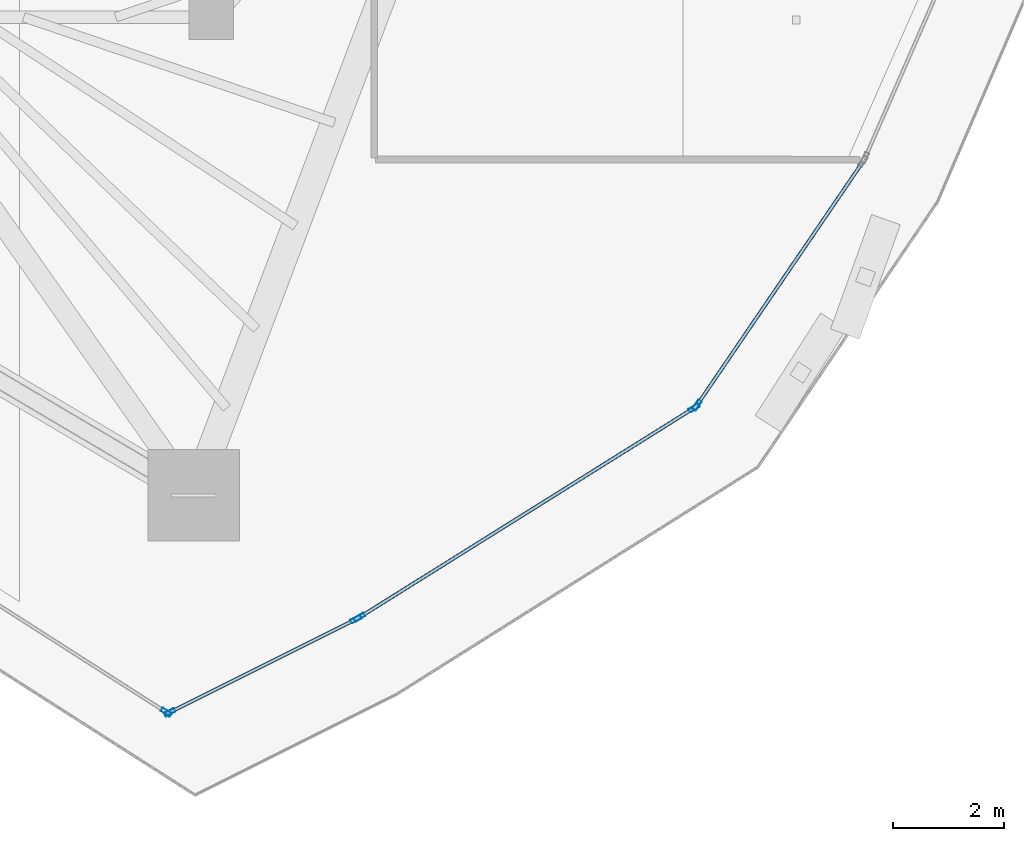
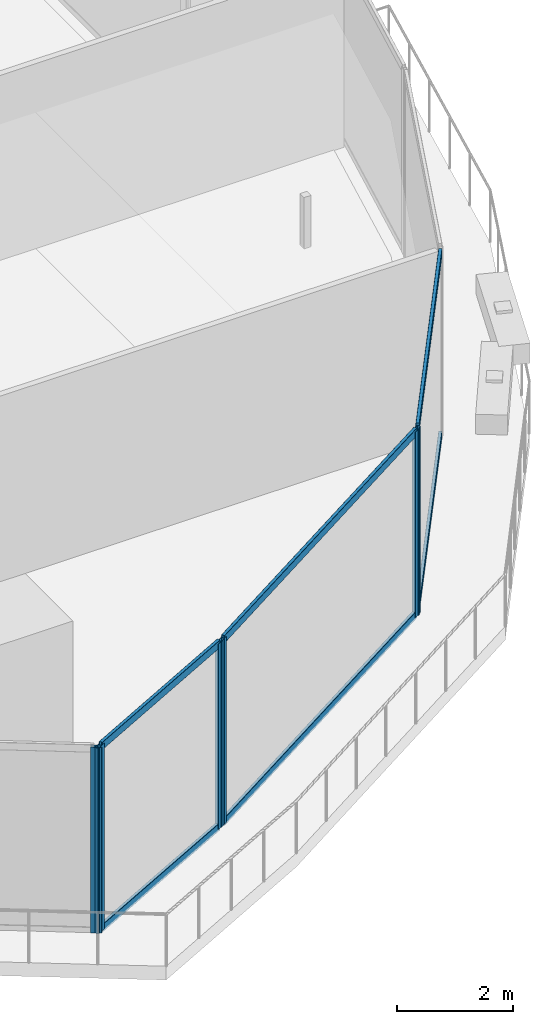
# One storey, part 10 of 34: 12 members, 4 elements without a shape of their own.
"""IFC4 building model written with IfcOpenShell, lengths in metres."""

from ifc_helpers import new_model, si_unit, direction, frame, origin, origin_2d, place, context, subcontext, project, spatial, hollow_rectangle, extrude, material, layer, layer_set, material_profile, profile_set, type_object, element, aggregate, save


model = new_model("IFC4")

# Units and contexts
model_context = context("Model", 3, precision=1e-05, world=origin(), true_north=direction((0.0, 1.0)))
body_context = subcontext(model_context, "Body", "Model", "MODEL_VIEW")
ifc_project = project(units=[si_unit("LENGTHUNIT", "METRE"), si_unit("AREAUNIT", "SQUARE_METRE"), si_unit("VOLUMEUNIT", "CUBIC_METRE"), si_unit("PLANEANGLEUNIT", "RADIAN"), si_unit("MASSUNIT", "GRAM", prefix="KILO")], contexts=[model_context])

# Site, building, storey
site_placement = place(None, origin())
site = spatial("IfcSite", under=ifc_project, at=site_placement, CompositionType="ELEMENT")
building_placement = place(site_placement, origin())
building = spatial("IfcBuilding", under=site, at=building_placement, Name="Qorvath Tower", CompositionType="ELEMENT")
storey_placement = place(building_placement, frame((0.0, 0.0, 276.60009765625)))
storey = spatial("IfcBuildingStorey", under=building, at=storey_placement, Name="L64", CompositionType="ELEMENT", Elevation=276.60009765625)

# Curtain wall, member
ifc_material_1 = material(Name="Anodised aluminium and triple low-E glass", Category="aluminium")
ifc_layer = layer(ifc_material_1, 0.179931640625)
ifc_layer_set = layer_set([ifc_layer], Name="CW-SYS-4")
curtain_wall_type = type_object("IfcCurtainWallType", Name="CW-SYS-4", PredefinedType="NOTDEFINED", material=ifc_layer_set)
curtain_wall_1_placement = place(storey_placement, origin())
curtain_wall_1 = element("IfcCurtainWall", 1, at=curtain_wall_1_placement, inside=storey, type_object=curtain_wall_type, Name="Curtain Wall CW-4 CW-T-L64-2.1", PredefinedType="NOTDEFINED")
ifc_material_2 = material(Name="Anodised aluminium 6063-T6", Category="aluminium")
ifc_material_profile_1 = material_profile(ifc_material_2, hollow_rectangle(XDim=0.074951171875, YDim=0.199951171875, WallThickness=0.00390625, InnerFilletRadius=0.00390625, OuterFilletRadius=0.008056640625, at=origin_2d()), Name="CWM 200x75")
ifc_profile_set_1 = profile_set([ifc_material_profile_1], Name="Anodised aluminium 6063-T6")
member_type_1 = type_object("IfcMemberType", Name="CWM-200", PredefinedType="MULLION", material=ifc_profile_set_1)
member_1_placement = place(storey_placement, frame((-18.015625, -24.027099609375, 0.0), z_axis=(0.0, 0.0, 1.0), x_axis=(0.538533509281, 0.842604094093, 0.0)))
member_1 = element("IfcMember", 2, at=member_1_placement, type_object=member_type_1, Name="CW-4 mullion 8", PredefinedType="MULLION", context=body_context, shape_type="SweptSolid", body=[
    extrude(hollow_rectangle(XDim=0.074951171875, YDim=0.199951171875, WallThickness=0.00390625, InnerFilletRadius=0.00390625, OuterFilletRadius=0.008056640625, at=origin_2d()), origin(), (0.0, 0.0, 1.0), 3.909912109375),
])
aggregate(curtain_wall_1, [member_1])

# Curtain wall, members
curtain_wall_2_placement = place(storey_placement, origin())
curtain_wall_2 = element("IfcCurtainWall", 3, at=curtain_wall_2_placement, inside=storey, type_object=curtain_wall_type, Name="Curtain Wall CW-4 CW-T-L64-3.1", PredefinedType="NOTDEFINED")
member_2_placement = place(storey_placement, frame((-17.950439453125, -24.030517578125, 0.0), z_axis=(0.0, 0.0, 1.0), x_axis=(-0.447244838324, 0.894411568906, 0.0)))
member_2 = element("IfcMember", 4, at=member_2_placement, type_object=member_type_1, Name="CW-4 mullion 1", PredefinedType="MULLION", context=body_context, shape_type="SweptSolid", body=[
    extrude(hollow_rectangle(XDim=0.074951171875, YDim=0.199951171875, WallThickness=0.00390625, InnerFilletRadius=0.00390625, OuterFilletRadius=0.008056640625, at=origin_2d()), origin(), (0.0, 0.0, 1.0), 3.909912109375),
])
member_3_placement = place(storey_placement, frame((-14.582275390625, -22.346435546875, 0.0), z_axis=(0.0, 0.0, 1.0), x_axis=(-0.447244838324, 0.894411568906, 0.0)))
member_3 = element("IfcMember", 5, at=member_3_placement, type_object=member_type_1, Name="CW-4 mullion 2", PredefinedType="MULLION", context=body_context, shape_type="SweptSolid", body=[
    extrude(hollow_rectangle(XDim=0.074951171875, YDim=0.199951171875, WallThickness=0.00390625, InnerFilletRadius=0.00390625, OuterFilletRadius=0.008056640625, at=origin_2d()), origin(), (0.0, 0.0, 1.0), 3.909912109375),
])

curtain_wall_3_placement = place(storey_placement, origin())
curtain_wall_3 = element("IfcCurtainWall", 6, at=curtain_wall_3_placement, inside=storey, type_object=curtain_wall_type, Name="Curtain Wall CW-4 CW-T-L64-4.1", PredefinedType="NOTDEFINED")
member_4_placement = place(storey_placement, frame((-14.51708984375, -22.309814453125, 0.0), z_axis=(0.0, 0.0, 1.0), x_axis=(-0.530362503391, 0.84777096848, 0.0)))
member_4 = element("IfcMember", 7, at=member_4_placement, type_object=member_type_1, Name="CW-4 mullion 1", PredefinedType="MULLION", context=body_context, shape_type="SweptSolid", body=[
    extrude(hollow_rectangle(XDim=0.074951171875, YDim=0.199951171875, WallThickness=0.00390625, InnerFilletRadius=0.00390625, OuterFilletRadius=0.008056640625, at=origin_2d()), origin(), (0.0, 0.0, 1.0), 3.909912109375),
])
member_5_placement = place(storey_placement, frame((-8.4609375, -18.52099609375, 0.0), z_axis=(0.0, 0.0, 1.0), x_axis=(-0.530362503391, 0.84777096848, 0.0)))
member_5 = element("IfcMember", 8, at=member_5_placement, type_object=member_type_1, Name="CW-4 mullion 2", PredefinedType="MULLION", context=body_context, shape_type="SweptSolid", body=[
    extrude(hollow_rectangle(XDim=0.074951171875, YDim=0.199951171875, WallThickness=0.00390625, InnerFilletRadius=0.00390625, OuterFilletRadius=0.008056640625, at=origin_2d()), origin(), (0.0, 0.0, 1.0), 3.909912109375),
])

# Curtain wall, member
curtain_wall_4_placement = place(storey_placement, origin())
curtain_wall_4 = element("IfcCurtainWall", 9, at=curtain_wall_4_placement, inside=storey, type_object=curtain_wall_type, Name="Curtain Wall CW-4 CW-T-L64-5.1", PredefinedType="NOTDEFINED")
member_6_placement = place(storey_placement, frame((-8.407958984375, -18.47021484375, 0.0), z_axis=(0.0, 0.0, 1.0), x_axis=(-0.826318799643, 0.56320266455, 0.0)))
member_6 = element("IfcMember", 10, at=member_6_placement, type_object=member_type_1, Name="CW-4 mullion 1", PredefinedType="MULLION", context=body_context, shape_type="SweptSolid", body=[
    extrude(hollow_rectangle(XDim=0.074951171875, YDim=0.199951171875, WallThickness=0.00390625, InnerFilletRadius=0.00390625, OuterFilletRadius=0.008056640625, at=origin_2d()), origin(), (0.0, 0.0, 1.0), 3.909912109375),
])

# Member
ifc_material_3 = material(Name="Anodised aluminium 6063-T6", Category="aluminium")
ifc_material_profile_2 = material_profile(ifc_material_3, hollow_rectangle(XDim=0.06494140625, YDim=0.159912109375, WallThickness=0.00341796875, InnerFilletRadius=0.00341796875, OuterFilletRadius=0.007080078125, at=origin_2d()), Name="CWT 160x65")
ifc_profile_set_2 = profile_set([ifc_material_profile_2], Name="Anodised aluminium 6063-T6")
member_type_2 = type_object("IfcMemberType", Name="CWT-160", PredefinedType="USERDEFINED", material=ifc_profile_set_2)
member_7_placement = place(storey_placement, frame((-17.9169921875, -24.013916015625, 0.032470703125), z_axis=(0.89438749866, 0.447292971373, 0.0), x_axis=(-0.447292971373, 0.89438749866, 0.0)))
member_7 = element("IfcMember", 11, at=member_7_placement, type_object=member_type_2, Name="CW-4 transom 1.1", ObjectType="TRANSOM", PredefinedType="USERDEFINED", context=body_context, shape_type="SweptSolid", body=[
    extrude(hollow_rectangle(XDim=0.06494140625, YDim=0.159912109375, WallThickness=0.00341796875, InnerFilletRadius=0.00341796875, OuterFilletRadius=0.007080078125, at=origin_2d()), origin(), (0.0, 0.0, 1.0), 3.69091796875),
])

member_8_placement = place(storey_placement, frame((-17.9169921875, -24.013916015625, 3.87744140625), z_axis=(0.89438749866, 0.447292971373, 0.0), x_axis=(-0.447292971373, 0.89438749866, 0.0)))
member_8 = element("IfcMember", 12, at=member_8_placement, type_object=member_type_2, Name="CW-4 transom 1.2", ObjectType="TRANSOM", PredefinedType="USERDEFINED", context=body_context, shape_type="SweptSolid", body=[
    extrude(hollow_rectangle(XDim=0.06494140625, YDim=0.159912109375, WallThickness=0.00341796875, InnerFilletRadius=0.00341796875, OuterFilletRadius=0.007080078125, at=origin_2d()), origin(), (0.0, 0.0, 1.0), 3.69091796875),
])

aggregate(curtain_wall_2, [member_2, member_3, member_7, member_8])

member_9_placement = place(storey_placement, frame((-14.485107421875, -22.289794921875, 0.032470703125), z_axis=(0.847775079583, 0.53035593184, 0.0), x_axis=(-0.53035593184, 0.847775079583, 0.0)))
member_9 = element("IfcMember", 13, at=member_9_placement, type_object=member_type_2, Name="CW-4 transom 1.1", ObjectType="TRANSOM", PredefinedType="USERDEFINED", context=body_context, shape_type="SweptSolid", body=[
    extrude(hollow_rectangle(XDim=0.06494140625, YDim=0.159912109375, WallThickness=0.00341796875, InnerFilletRadius=0.00341796875, OuterFilletRadius=0.007080078125, at=origin_2d()), origin(), (0.0, 0.0, 1.0), 7.068359375),
])

member_10_placement = place(storey_placement, frame((-14.485107421875, -22.289794921875, 3.87744140625), z_axis=(0.847775079583, 0.53035593184, 0.0), x_axis=(-0.53035593184, 0.847775079583, 0.0)))
member_10 = element("IfcMember", 14, at=member_10_placement, type_object=member_type_2, Name="CW-4 transom 1.2", ObjectType="TRANSOM", PredefinedType="USERDEFINED", context=body_context, shape_type="SweptSolid", body=[
    extrude(hollow_rectangle(XDim=0.06494140625, YDim=0.159912109375, WallThickness=0.00341796875, InnerFilletRadius=0.00341796875, OuterFilletRadius=0.007080078125, at=origin_2d()), origin(), (0.0, 0.0, 1.0), 7.068359375),
])

aggregate(curtain_wall_3, [member_4, member_5, member_9, member_10])

member_11_placement = place(storey_placement, frame((-8.386962890625, -18.439208984375, 0.032470703125), z_axis=(0.563214455362, 0.826310763134, 0.0), x_axis=(-0.826310763134, 0.563214455362, 0.0)))
member_11 = element("IfcMember", 15, at=member_11_placement, type_object=member_type_2, Name="CW-4 transom 1.1", ObjectType="TRANSOM", PredefinedType="USERDEFINED", context=body_context, shape_type="SweptSolid", body=[
    extrude(hollow_rectangle(XDim=0.06494140625, YDim=0.159912109375, WallThickness=0.00341796875, InnerFilletRadius=0.00341796875, OuterFilletRadius=0.007080078125, at=origin_2d()), origin(), (0.0, 0.0, 1.0), 5.262451171875),
])

member_12_placement = place(storey_placement, frame((-8.386962890625, -18.439208984375, 3.87744140625), z_axis=(0.563214455362, 0.826310763134, 0.0), x_axis=(-0.826310763134, 0.563214455362, 0.0)))
member_12 = element("IfcMember", 16, at=member_12_placement, type_object=member_type_2, Name="CW-4 transom 1.2", ObjectType="TRANSOM", PredefinedType="USERDEFINED", context=body_context, shape_type="SweptSolid", body=[
    extrude(hollow_rectangle(XDim=0.06494140625, YDim=0.159912109375, WallThickness=0.00341796875, InnerFilletRadius=0.00341796875, OuterFilletRadius=0.007080078125, at=origin_2d()), origin(), (0.0, 0.0, 1.0), 5.262451171875),
])

aggregate(curtain_wall_4, [member_6, member_11, member_12])

save(model, "model.ifc")
